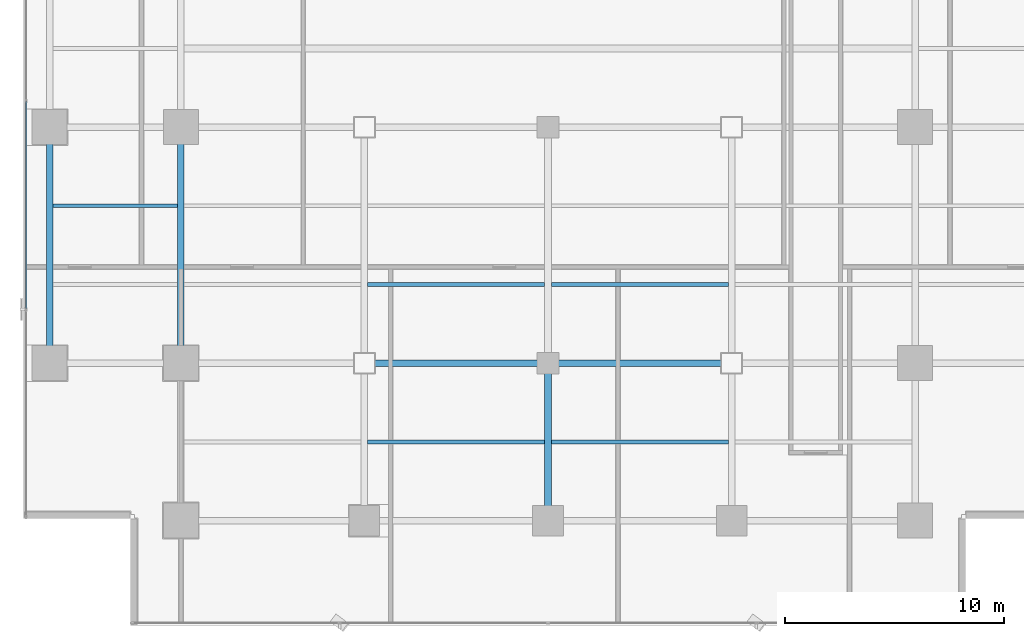
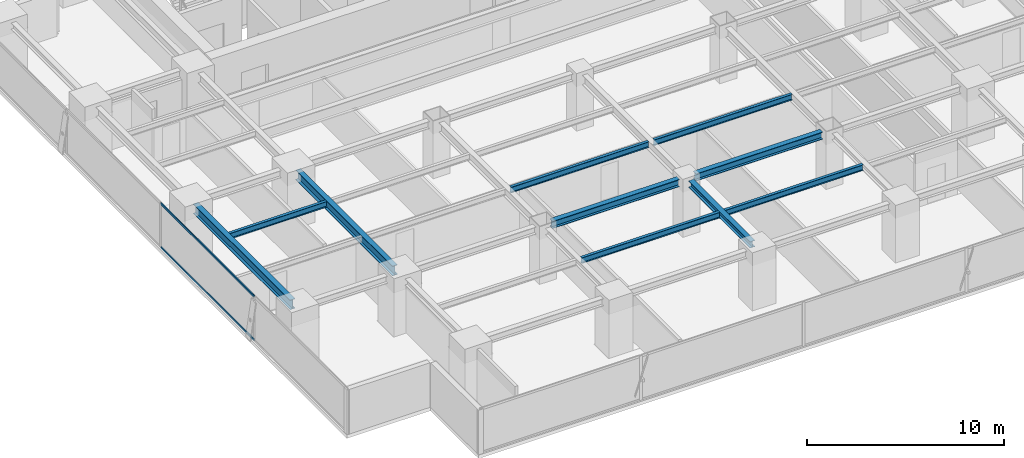
# One storey, part 6 of 28: 10 beams, 2 members, 1 element without a shape of its own.
"""IFC4 building model written with IfcOpenShell, lengths in metres."""

from ifc_helpers import new_model, si_unit, direction, frame, origin, origin_2d, place, context, subcontext, project, spatial, hollow_rectangle, i_section, extrude, source, transform, mapped, material, layer, layer_set, material_profile, profile_set, type_object, element, aggregate, save


model = new_model("IFC4")

# Units and contexts
model_context = context("Model", 3, precision=1e-05, world=origin(), true_north=direction((0.0, 1.0)))
body_context = subcontext(model_context, "Body", "Model", "MODEL_VIEW")
ifc_project = project(units=[si_unit("LENGTHUNIT", "METRE"), si_unit("AREAUNIT", "SQUARE_METRE"), si_unit("VOLUMEUNIT", "CUBIC_METRE"), si_unit("PLANEANGLEUNIT", "RADIAN"), si_unit("MASSUNIT", "GRAM", prefix="KILO")], contexts=[model_context])

# Site, building, storey
site_placement = place(None, origin())
site = spatial("IfcSite", under=ifc_project, at=site_placement, CompositionType="ELEMENT")
building_placement = place(site_placement, origin())
building = spatial("IfcBuilding", under=site, at=building_placement, Name="Sumidabori Civic Tower", CompositionType="ELEMENT")
storey_placement = place(building_placement, frame((0.0, 0.0, 167.60009765625)))
storey = spatial("IfcBuildingStorey", under=building, at=storey_placement, Name="L43", CompositionType="ELEMENT", Elevation=167.60009765625)

# Beams
ifc_material_1 = material(Name="Steel SN490", Category="steel")
ifc_material_profile_1 = material_profile(ifc_material_1, i_section(OverallWidth=0.300048828125, OverallDepth=0.39990234375, WebThickness=0.013427734375, FlangeThickness=0.02392578125, at=origin_2d()), Name="HE 400 B")
ifc_profile_set_1 = profile_set([ifc_material_profile_1], Name="Steel SN490")
beam_type_1 = type_object("IfcBeamType", Name="BM-GIRD-400", PredefinedType="BEAM", material=ifc_profile_set_1)
shared_shape_1 = source(origin(), body_context, "Body", "SweptSolid", [
    extrude(i_section(OverallWidth=0.300048828125, OverallDepth=0.39990234375, WebThickness=0.013427734375, FlangeThickness=0.02392578125, at=origin_2d()), origin(), (0.0, 0.0, 1.0), 6.239990234375),
])
beam_1_placement = place(storey_placement, frame((0.0, -17.52001953125, 3.179931640625), z_axis=(0.0, 1.0, 0.0), x_axis=(-1.0, 0.0, 0.0)))
element("IfcBeam", 1, at=beam_1_placement, inside=storey, type_object=beam_type_1, Name="Primary Girder L43 GY-28", PredefinedType="BEAM", context=body_context, shape_type="MappedRepresentation", body=[
    mapped(shared_shape_1, transform((0.0, 0.0, 0.0), x_axis=(1.0, 0.0, 0.0), y_axis=(0.0, 1.0, 0.0), z_axis=(0.0, 0.0, 1.0), scale=1.0)),
])
ifc_material_profile_2 = material_profile(ifc_material_1, i_section(OverallWidth=0.300048828125, OverallDepth=0.60009765625, WebThickness=0.015380859375, FlangeThickness=0.030029296875, at=origin_2d()), Name="HE 600 B")
ifc_profile_set_2 = profile_set([ifc_material_profile_2], Name="Steel SN490")
beam_type_2 = type_object("IfcBeamType", Name="BM-GIRD-600", PredefinedType="BEAM", material=ifc_profile_set_2)
shared_shape_2 = source(origin(), body_context, "Body", "SweptSolid", [
    extrude(i_section(OverallWidth=0.300048828125, OverallDepth=0.60009765625, WebThickness=0.015380859375, FlangeThickness=0.030029296875, at=origin_2d()), origin(), (0.0, 0.0, 1.0), 9.840087890625),
])
for number, where, z_axis, x_axis, name in (
    (2, (-22.800048828125, -10.320068359375, 3.079833984375), (0.0, 1.0, 0.0), (-1.0, 0.0, 0.0), "Primary Girder L43 GY-19"),
    (3, (-16.800048828125, -10.320068359375, 3.079833984375), (0.0, 1.0, 0.0), (-1.0, 0.0, 0.0), "Primary Girder L43 GY-23"),
):
    element("IfcBeam", number, at=place(storey_placement, frame(where, z_axis=z_axis, x_axis=x_axis)), inside=storey, type_object=beam_type_2, Name=name, PredefinedType="BEAM", context=body_context, shape_type="MappedRepresentation", body=[
        mapped(shared_shape_2, transform((0.0, 0.0, 0.0), x_axis=(1.0, 0.0, 0.0), y_axis=(0.0, 1.0, 0.0), z_axis=(0.0, 0.0, 1.0), scale=1.0)),
    ])
ifc_material_profile_3 = material_profile(ifc_material_1, i_section(OverallWidth=0.169921875, OverallDepth=0.360107421875, WebThickness=0.008056640625, FlangeThickness=0.0126953125, at=origin_2d()), Name="IPE 360")
ifc_profile_set_3 = profile_set([ifc_material_profile_3], Name="Steel SN490")
beam_type_3 = type_object("IfcBeamType", Name="BM-JST-360", PredefinedType="JOIST", material=ifc_profile_set_3)
shared_shape_3 = source(origin(), body_context, "Body", "SweptSolid", [
    extrude(i_section(OverallWidth=0.169921875, OverallDepth=0.360107421875, WebThickness=0.008056640625, FlangeThickness=0.0126953125, at=origin_2d()), origin(), (0.0, 0.0, 1.0), 5.699951171875),
])
beam_2_placement = place(storey_placement, frame((-22.64990234375, -3.60009765625, 3.199951171875), z_axis=(1.0, 0.0, 0.0), x_axis=(0.0, 1.0, 0.0)))
element("IfcBeam", 4, at=beam_2_placement, inside=storey, type_object=beam_type_3, Name="Outer Bay Floor Joist L43 JSTO-41", PredefinedType="JOIST", context=body_context, shape_type="MappedRepresentation", body=[
    mapped(shared_shape_3, transform((0.0, 0.0, 0.0), x_axis=(1.0, 0.0, 0.0), y_axis=(0.0, 1.0, 0.0), z_axis=(0.0, 0.0, 1.0), scale=1.0)),
])
shared_shape_4 = source(origin(), body_context, "Body", "SweptSolid", [
    extrude(i_section(OverallWidth=0.169921875, OverallDepth=0.360107421875, WebThickness=0.008056640625, FlangeThickness=0.0126953125, at=origin_2d()), origin(), (0.0, 0.0, 1.0), 8.10009765625),
])
for number, where, z_axis, x_axis, name in (
    (5, (-8.25, -14.39990234375, 3.199951171875), (1.0, 0.0, 0.0), (0.0, 1.0, 0.0), "South Bay Floor Joist L43 JSTS-50"),
    (6, (0.14990234375, -14.39990234375, 3.199951171875), (1.0, 0.0, 0.0), (0.0, 1.0, 0.0), "South Bay Floor Joist L43 JSTS-51"),
    (7, (-8.25, -7.199951171875, 3.199951171875), (1.0, 0.0, 0.0), (0.0, 1.0, 0.0), "South Bay Floor Joist L43 JSTS-54"),
    (8, (0.14990234375, -7.199951171875, 3.199951171875), (1.0, 0.0, 0.0), (0.0, 1.0, 0.0), "South Bay Floor Joist L43 JSTS-55"),
):
    element("IfcBeam", number, at=place(storey_placement, frame(where, z_axis=z_axis, x_axis=x_axis)), inside=storey, type_object=beam_type_3, Name=name, PredefinedType="JOIST", context=body_context, shape_type="MappedRepresentation", body=[
        mapped(shared_shape_4, transform((0.0, 0.0, 0.0), x_axis=(1.0, 0.0, 0.0), y_axis=(0.0, 1.0, 0.0), z_axis=(0.0, 0.0, 1.0), scale=1.0)),
    ])
ifc_material_profile_4 = material_profile(ifc_material_1, i_section(OverallWidth=0.300048828125, OverallDepth=0.449951171875, WebThickness=0.013916015625, FlangeThickness=0.02587890625, at=origin_2d()), Name="HE 450 B")
ifc_profile_set_4 = profile_set([ifc_material_profile_4], Name="Steel SN490")
beam_type_4 = type_object("IfcBeamType", Name="BM-GIRD-450", PredefinedType="BEAM", material=ifc_profile_set_4)
shared_shape_5 = source(origin(), body_context, "Body", "SweptSolid", [
    extrude(i_section(OverallWidth=0.300048828125, OverallDepth=0.449951171875, WebThickness=0.013916015625, FlangeThickness=0.02587890625, at=origin_2d()), origin(), (0.0, 0.0, 1.0), 7.43994140625),
])
for number, where, z_axis, x_axis, name in (
    (9, (-7.919921875, -10.800048828125, 3.15478515625), (1.0, 0.0, 0.0), (0.0, 1.0, 0.0), "Primary Girder L43 GX-07"),
    (10, (0.47998046875, -10.800048828125, 3.15478515625), (1.0, 0.0, 0.0), (0.0, 1.0, 0.0), "Primary Girder L43 GX-08"),
):
    element("IfcBeam", number, at=place(storey_placement, frame(where, z_axis=z_axis, x_axis=x_axis)), inside=storey, type_object=beam_type_4, Name=name, PredefinedType="BEAM", context=body_context, shape_type="MappedRepresentation", body=[
        mapped(shared_shape_5, transform((0.0, 0.0, 0.0), x_axis=(1.0, 0.0, 0.0), y_axis=(0.0, 1.0, 0.0), z_axis=(0.0, 0.0, 1.0), scale=1.0)),
    ])

# Curtain wall, members
ifc_material_2 = material(Name="Anodised Bronze Aluminium AW-6063-T6", Category="aluminium")
ifc_layer = layer(ifc_material_2, 0.179931640625, Name="Anodised Bronze Aluminium AW-6063-T6")
ifc_layer_set = layer_set([ifc_layer], Name="Anodised Bronze Aluminium AW-6063-T6")
curtain_wall_type = type_object("IfcCurtainWallType", Name="CW-SYS-3", PredefinedType="NOTDEFINED", material=ifc_layer_set)
curtain_wall_placement = place(storey_placement, origin())
curtain_wall = element("IfcCurtainWall", 11, at=curtain_wall_placement, inside=storey, type_object=curtain_wall_type, Name="Curtain Wall CW:L43:R10", PredefinedType="NOTDEFINED")
ifc_material_profile_5 = material_profile(ifc_material_2, hollow_rectangle(XDim=0.06005859375, YDim=0.1298828125, WallThickness=0.0048828125, at=origin_2d()), Name="ALU TRANSOM 130x60")
ifc_profile_set_5 = profile_set([ifc_material_profile_5], Name="Anodised Bronze Aluminium AW-6063-T6")
member_type = type_object("IfcMemberType", Name="CW-TRN-130", PredefinedType="USERDEFINED", material=ifc_profile_set_5)
shared_shape_6 = source(origin(), body_context, "Body", "SweptSolid", [
    extrude(hollow_rectangle(XDim=0.06005859375, YDim=0.1298828125, WallThickness=0.0048828125, at=origin_2d()), origin(), (0.0, 0.0, 1.0), 9.469970703125),
])
member_1_placement = place(storey_placement, frame((-23.8798828125, 1.16748046875, 0.02978515625), z_axis=(0.0, -1.0, 0.0), x_axis=(1.0, 0.0, 0.0)))
member_1 = element("IfcMember", 12, at=member_1_placement, type_object=member_type, Name="CW-3 transom 3.1", ObjectType="TRANSOM", PredefinedType="USERDEFINED", context=body_context, shape_type="MappedRepresentation", body=[
    mapped(shared_shape_6, transform((0.0, 0.0, 0.0), x_axis=(1.0, 0.0, 0.0), y_axis=(0.0, 1.0, 0.0), z_axis=(0.0, 0.0, 1.0), scale=1.0)),
])
member_2_placement = place(storey_placement, frame((-23.8798828125, 1.16748046875, 2.72998046875), z_axis=(0.0, -1.0, 0.0), x_axis=(1.0, 0.0, 0.0)))
member_2 = element("IfcMember", 13, at=member_2_placement, type_object=member_type, Name="CW-3 transom 3.2", ObjectType="TRANSOM", PredefinedType="USERDEFINED", context=body_context, shape_type="MappedRepresentation", body=[
    mapped(shared_shape_6, transform((0.0, 0.0, 0.0), x_axis=(1.0, 0.0, 0.0), y_axis=(0.0, 1.0, 0.0), z_axis=(0.0, 0.0, 1.0), scale=1.0)),
])
aggregate(curtain_wall, [member_1, member_2])

save(model, "model.ifc")
